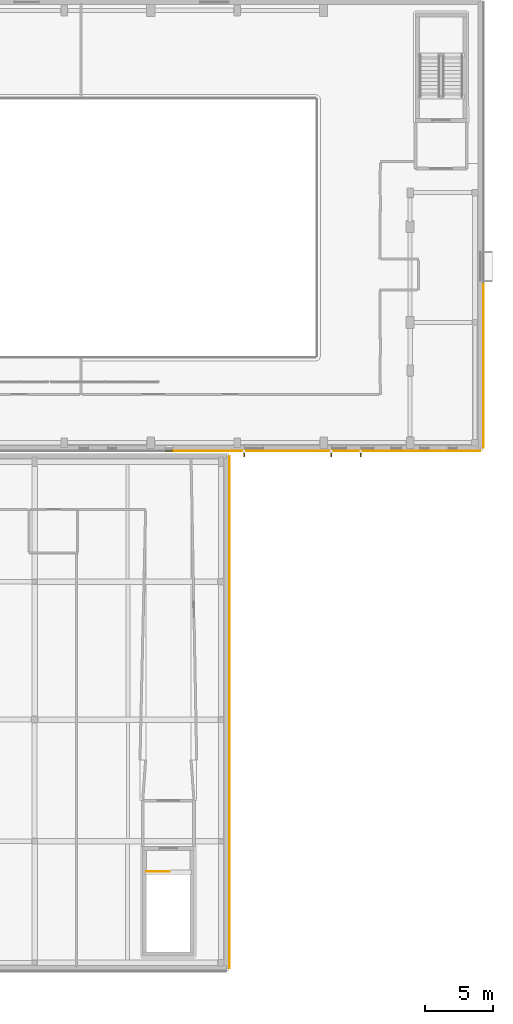
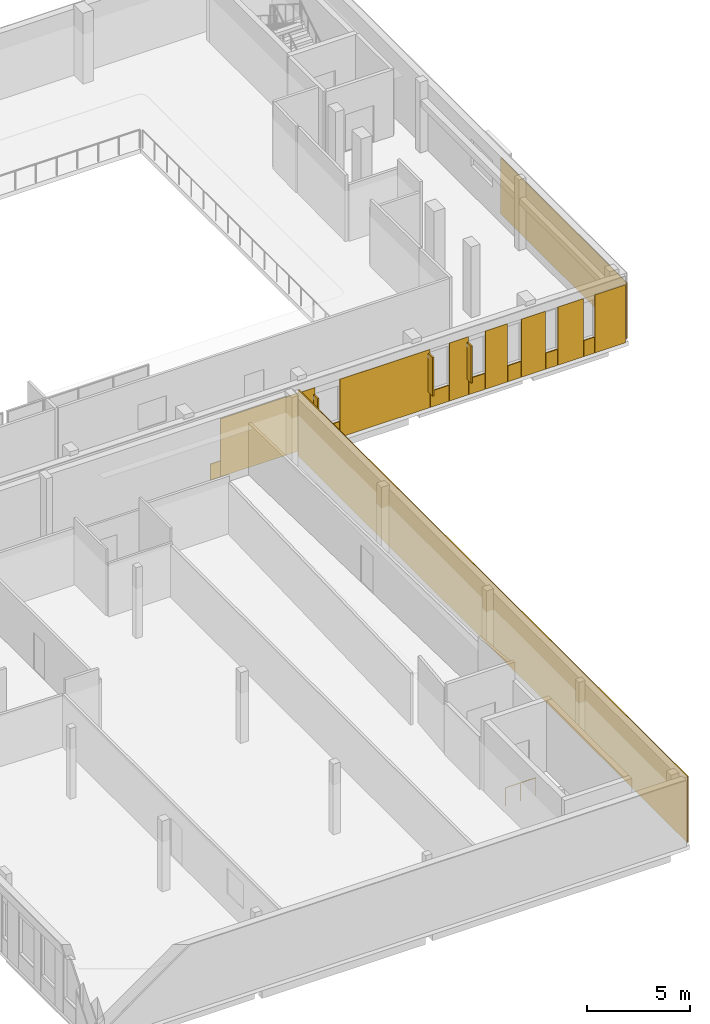
# One storey, part 82 of 84: 16 coverings, 3 shading devices, 1 railing.
"""IFC4 building model written with IfcOpenShell, lengths in metres."""

from ifc_helpers import new_model, si_unit, direction, frame, origin, origin_2d, place, context, subcontext, project, spatial, rectangle, circle, extrude, material, layer, layer_set, type_object, element, save


model = new_model("IFC4")

# Units and contexts
model_context = context("Model", 3, precision=1e-05, world=origin(), true_north=direction((0.0, 1.0)))
body_context = subcontext(model_context, "Body", "Model", "MODEL_VIEW")
ifc_project = project(units=[si_unit("LENGTHUNIT", "METRE"), si_unit("AREAUNIT", "SQUARE_METRE"), si_unit("VOLUMEUNIT", "CUBIC_METRE"), si_unit("PLANEANGLEUNIT", "RADIAN"), si_unit("MASSUNIT", "GRAM", prefix="KILO")], contexts=[model_context])

# Site, building, storey
site_placement = place(None, origin())
site = spatial("IfcSite", under=ifc_project, at=site_placement, CompositionType="ELEMENT")
building_placement = place(site_placement, origin())
building = spatial("IfcBuilding", under=site, at=building_placement, Name="Mzevani Central Library", CompositionType="ELEMENT")
storey_placement = place(building_placement, frame((0.0, 0.0, 5.39990234375)))
storey = spatial("IfcBuildingStorey", under=building, at=storey_placement, Name="L01", CompositionType="ELEMENT", Elevation=5.39990234375)

# Shading devices
ifc_material_1 = material(Name="Anodized architectural bronze")
shading_device_type = type_object("IfcShadingDeviceType", Name="Anodized Bronze Vertical Sun-Breaker Fin", PredefinedType="USERDEFINED", material=ifc_material_1)
shading_device_1_placement = place(storey_placement, frame((155.330078125, 42.27490234375, 0.9501953125), z_axis=(0.0, 0.0, 1.0), x_axis=(-1.0, 0.0, 0.0)))
element("IfcShadingDevice", 1, at=shading_device_1_placement, inside=storey, type_object=shading_device_type, Name="L01 V1 Solar Fin (45)", ObjectType="SOLAR FIN", PredefinedType="USERDEFINED", context=body_context, shape_type="SweptSolid", body=[
    extrude(rectangle(XDim=0.080078125, YDim=0.449951171875, at=origin_2d()), origin(), (0.0, 0.0, 1.0), 2.199951171875),
])
shading_device_2_placement = place(storey_placement, frame((153.155029296875, 42.27490234375, 0.9501953125), z_axis=(0.0, 0.0, 1.0), x_axis=(-1.0, 0.0, 0.0)))
element("IfcShadingDevice", 2, at=shading_device_2_placement, inside=storey, type_object=shading_device_type, Name="L01 V1 Solar Fin (46)", ObjectType="SOLAR FIN", PredefinedType="USERDEFINED", context=body_context, shape_type="SweptSolid", body=[
    extrude(rectangle(XDim=0.080078125, YDim=0.449951171875, at=origin_2d()), origin(), (0.0, 0.0, 1.0), 2.300048828125),
])
shading_device_3_placement = place(storey_placement, frame((146.705078125, 42.27490234375, 0.949951171875), z_axis=(0.0, 0.0, 1.0), x_axis=(-1.0, 0.0, 0.0)))
element("IfcShadingDevice", 3, at=shading_device_3_placement, inside=storey, type_object=shading_device_type, Name="L01 V1 Solar Fin (47)", ObjectType="SOLAR FIN", PredefinedType="USERDEFINED", context=body_context, shape_type="SweptSolid", body=[
    extrude(rectangle(XDim=0.080078125, YDim=0.449951171875, at=origin_2d()), origin(), (0.0, 0.0, 1.0), 2.10009765625),
])

# Railing
ifc_material_2 = material(Name="Brushed stainless steel rail", Category="steel")
railing_type = type_object("IfcRailingType", Name="Interior Gallery and Stair Guard 1100", PredefinedType="BALUSTRADE", material=ifc_material_2)
railing_placement = place(storey_placement, frame((139.5, 11.35009765625, 0.0)))
element("IfcRailing", 4, at=railing_placement, inside=storey, type_object=railing_type, Name="L01 ST-12 top well guard 1", PredefinedType="BALUSTRADE", context=body_context, shape_type="SweptSolid", body=[
    extrude(circle(Radius=0.02392578125, at=origin_2d()), frame((0.0, 0.0, 1.076171875), z_axis=(1.0, 0.0, 0.0), x_axis=(0.0, 1.0, 0.0)), (0.0, 0.0, 1.0), 1.699951171875),
    extrude(circle(Radius=0.02099609375, at=origin_2d()), origin(), (0.0, 0.0, 1.0), 1.052001953125),
    extrude(circle(Radius=0.02099609375, at=origin_2d()), frame((0.85009765625, 0.0, 0.0)), (0.0, 0.0, 1.0), 1.052001953125),
    extrude(circle(Radius=0.02099609375, at=origin_2d()), frame((1.699951171875, 0.0, 0.0)), (0.0, 0.0, 1.0), 1.052001953125),
])

# Coverings
ifc_material_3 = material(Name="Limestone ashlar cladding", Category="masonry")
ifc_layer = layer(ifc_material_3, 0.050048828125, Name="Limestone Ashlar Spandrel Cladding")
ifc_layer_set = layer_set([ifc_layer], Name="Limestone ashlar cladding")
covering_type = type_object("IfcCoveringType", Name="Limestone Ashlar Spandrel Cladding", PredefinedType="CLADDING", material=ifc_layer_set)
covering_1_placement = place(storey_placement, frame((163.3349609375, 42.47607421875, 0.0), z_axis=(0.0, 0.0, 1.0), x_axis=(-1.0, 0.0, 0.0)))
element("IfcCovering", 5, at=covering_1_placement, inside=storey, type_object=covering_type, Name="L01 Warm-White Facade Pier 1 (EW4-V1-L01-0006)", PredefinedType="CLADDING", context=body_context, shape_type="SweptSolid", body=[
    extrude(rectangle(XDim=1.7099609375, YDim=0.050048828125, at=origin_2d()), origin(), (0.0, 0.0, 1.0), 3.449951171875),
])
covering_2_placement = place(storey_placement, frame((162.159912109375, 42.47607421875, 0.0), z_axis=(0.0, 0.0, 1.0), x_axis=(-1.0, 0.0, 0.0)))
element("IfcCovering", 6, at=covering_2_placement, inside=storey, type_object=covering_type, Name="L01 Warm-White Sill Cladding 2 (EW4-V1-L01-0006)", PredefinedType="CLADDING", context=body_context, shape_type="SweptSolid", body=[
    extrude(rectangle(XDim=0.60009765625, YDim=0.050048828125, at=origin_2d()), origin(), (0.0, 0.0, 1.0), 0.949951171875),
])
covering_3_placement = place(storey_placement, frame((161.12255859375, 42.47607421875, 0.0), z_axis=(0.0, 0.0, 1.0), x_axis=(-1.0, 0.0, 0.0)))
element("IfcCovering", 7, at=covering_3_placement, inside=storey, type_object=covering_type, Name="L01 Warm-White Facade Pier 3 (EW4-V1-L01-0006)", PredefinedType="CLADDING", context=body_context, shape_type="SweptSolid", body=[
    extrude(rectangle(XDim=1.43505859375, YDim=0.050048828125, at=origin_2d()), origin(), (0.0, 0.0, 1.0), 3.449951171875),
])
covering_4_placement = place(storey_placement, frame((160.06005859375, 42.47607421875, 0.0), z_axis=(0.0, 0.0, 1.0), x_axis=(-1.0, 0.0, 0.0)))
element("IfcCovering", 8, at=covering_4_placement, inside=storey, type_object=covering_type, Name="L01 Warm-White Sill Cladding 4 (EW4-V1-L01-0006)", PredefinedType="CLADDING", context=body_context, shape_type="SweptSolid", body=[
    extrude(rectangle(XDim=0.64990234375, YDim=0.050048828125, at=origin_2d()), origin(), (0.0, 0.0, 1.0), 0.949951171875),
])
covering_5_placement = place(storey_placement, frame((159.034912109375, 42.47607421875, 0.0), z_axis=(0.0, 0.0, 1.0), x_axis=(-1.0, 0.0, 0.0)))
element("IfcCovering", 9, at=covering_5_placement, inside=storey, type_object=covering_type, Name="L01 Warm-White Facade Pier 5 (EW4-V1-L01-0006)", PredefinedType="CLADDING", context=body_context, shape_type="SweptSolid", body=[
    extrude(rectangle(XDim=1.360107421875, YDim=0.050048828125, at=origin_2d()), origin(), (0.0, 0.0, 1.0), 3.449951171875),
])
covering_6_placement = place(storey_placement, frame((157.9599609375, 42.47607421875, 0.0), z_axis=(0.0, 0.0, 1.0), x_axis=(-1.0, 0.0, 0.0)))
element("IfcCovering", 10, at=covering_6_placement, inside=storey, type_object=covering_type, Name="L01 Warm-White Sill Cladding 6 (EW4-V1-L01-0006)", PredefinedType="CLADDING", context=body_context, shape_type="SweptSolid", body=[
    extrude(rectangle(XDim=0.75, YDim=0.050048828125, at=origin_2d()), origin(), (0.0, 0.0, 1.0), 0.949951171875),
])
covering_7_placement = place(storey_placement, frame((156.947509765625, 42.47607421875, 0.0), z_axis=(0.0, 0.0, 1.0), x_axis=(-1.0, 0.0, 0.0)))
element("IfcCovering", 11, at=covering_7_placement, inside=storey, type_object=covering_type, Name="L01 Warm-White Facade Pier 7 (EW4-V1-L01-0006)", PredefinedType="CLADDING", context=body_context, shape_type="SweptSolid", body=[
    extrude(rectangle(XDim=1.235107421875, YDim=0.050048828125, at=origin_2d()), origin(), (0.0, 0.0, 1.0), 3.449951171875),
])
covering_8_placement = place(storey_placement, frame((155.860107421875, 42.47607421875, 0.0), z_axis=(0.0, 0.0, 1.0), x_axis=(-1.0, 0.0, 0.0)))
element("IfcCovering", 12, at=covering_8_placement, inside=storey, type_object=covering_type, Name="L01 Warm-White Sill Cladding 8 (EW4-V1-L01-0006)", PredefinedType="CLADDING", context=body_context, shape_type="SweptSolid", body=[
    extrude(rectangle(XDim=0.89990234375, YDim=0.050048828125, at=origin_2d()), origin(), (0.0, 0.0, 1.0), 0.949951171875),
])
covering_9_placement = place(storey_placement, frame((154.847412109375, 42.47607421875, 0.0), z_axis=(0.0, 0.0, 1.0), x_axis=(-1.0, 0.0, 0.0)))
element("IfcCovering", 13, at=covering_9_placement, inside=storey, type_object=covering_type, Name="L01 Warm-White Facade Pier 9 (EW4-V1-L01-0006)", PredefinedType="CLADDING", context=body_context, shape_type="SweptSolid", body=[
    extrude(rectangle(XDim=1.0849609375, YDim=0.050048828125, at=origin_2d()), origin(), (0.0, 0.0, 1.0), 3.449951171875),
])
covering_10_placement = place(storey_placement, frame((153.760009765625, 42.47607421875, 0.0), z_axis=(0.0, 0.0, 1.0), x_axis=(-1.0, 0.0, 0.0)))
element("IfcCovering", 14, at=covering_10_placement, inside=storey, type_object=covering_type, Name="L01 Warm-White Sill Cladding 10 (EW4-V1-L01-0006)", PredefinedType="CLADDING", context=body_context, shape_type="SweptSolid", body=[
    extrude(rectangle(XDim=1.050048828125, YDim=0.050048828125, at=origin_2d()), origin(), (0.0, 0.0, 1.0), 0.949951171875),
])
covering_11_placement = place(storey_placement, frame((150.68505859375, 42.47607421875, 0.0), z_axis=(0.0, 0.0, 1.0), x_axis=(-1.0, 0.0, 0.0)))
element("IfcCovering", 15, at=covering_11_placement, inside=storey, type_object=covering_type, Name="L01 Warm-White Facade Pier 11 (EW4-V1-L01-0006)", PredefinedType="CLADDING", context=body_context, shape_type="SweptSolid", body=[
    extrude(rectangle(XDim=5.06005859375, YDim=0.050048828125, at=origin_2d()), origin(), (0.0, 0.0, 1.0), 3.449951171875),
])
covering_12_placement = place(storey_placement, frame((147.4599609375, 42.47607421875, 0.0), z_axis=(0.0, 0.0, 1.0), x_axis=(-1.0, 0.0, 0.0)))
element("IfcCovering", 16, at=covering_12_placement, inside=storey, type_object=covering_type, Name="L01 Warm-White Sill Cladding 12 (EW4-V1-L01-0006)", PredefinedType="CLADDING", context=body_context, shape_type="SweptSolid", body=[
    extrude(rectangle(XDim=1.35009765625, YDim=0.050048828125, at=origin_2d()), origin(), (0.0, 0.0, 1.0), 0.949951171875),
])
covering_13_placement = place(storey_placement, frame((144.110107421875, 42.47607421875, 0.0), z_axis=(0.0, 0.0, 1.0), x_axis=(-1.0, 0.0, 0.0)))
element("IfcCovering", 17, at=covering_13_placement, inside=storey, type_object=covering_type, Name="L01 Warm-White Facade Pier 13 (EW4-V1-L01-0006)", PredefinedType="CLADDING", context=body_context, shape_type="SweptSolid", body=[
    extrude(rectangle(XDim=5.31005859375, YDim=0.050048828125, at=origin_2d()), origin(), (0.0, 0.0, 1.0), 3.449951171875),
])
covering_14_placement = place(storey_placement, frame((141.159912109375, 42.47607421875, 0.0), z_axis=(0.0, 0.0, 1.0), x_axis=(-1.0, 0.0, 0.0)))
element("IfcCovering", 18, at=covering_14_placement, inside=storey, type_object=covering_type, Name="L01 Warm-White Sill Cladding 14 (EW4-V1-L01-0006)", PredefinedType="CLADDING", context=body_context, shape_type="SweptSolid", body=[
    extrude(rectangle(XDim=0.550048828125, YDim=0.050048828125, at=origin_2d()), origin(), (0.0, 0.0, 1.0), 0.949951171875),
])
covering_15_placement = place(storey_placement, frame((164.424072265625, 48.83984375, 0.0), z_axis=(0.0, 0.0, 1.0), x_axis=(0.0, -1.0, 0.0)))
element("IfcCovering", 19, at=covering_15_placement, inside=storey, type_object=covering_type, Name="L01 Warm-White Facade Pier 3 (EW4-V1-L01-0010)", PredefinedType="CLADDING", context=body_context, shape_type="SweptSolid", body=[
    extrude(rectangle(XDim=12.259521484375, YDim=0.050048828125, at=origin_2d()), origin(), (0.0, 0.0, 1.0), 3.35009765625),
])
covering_16_placement = place(storey_placement, frame((145.6240234375, 23.14990234375, 0.000244140625), z_axis=(0.0, 0.0, 1.0), x_axis=(0.0, -1.0, 0.0)))
element("IfcCovering", 20, at=covering_16_placement, inside=storey, type_object=covering_type, Name="L01 Warm-White Facade Cladding (EW4-V6-L01-0109)", PredefinedType="CLADDING", context=body_context, shape_type="SweptSolid", body=[
    extrude(rectangle(XDim=37.8798828125, YDim=0.050048828125, at=origin_2d()), origin(), (0.0, 0.0, 1.0), 3.93994140625),
])

save(model, "model.ifc")
